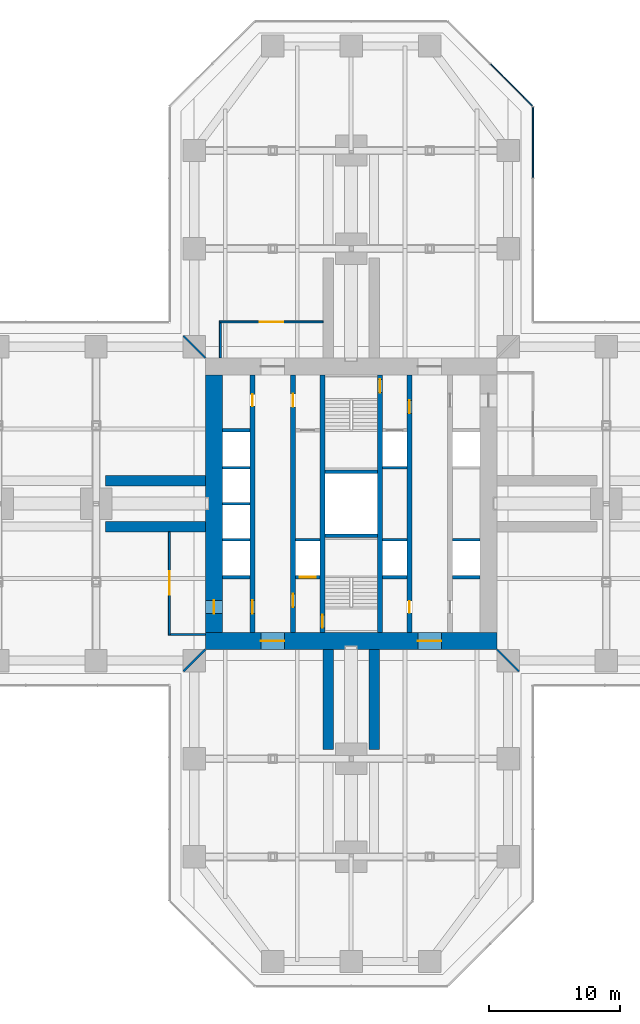
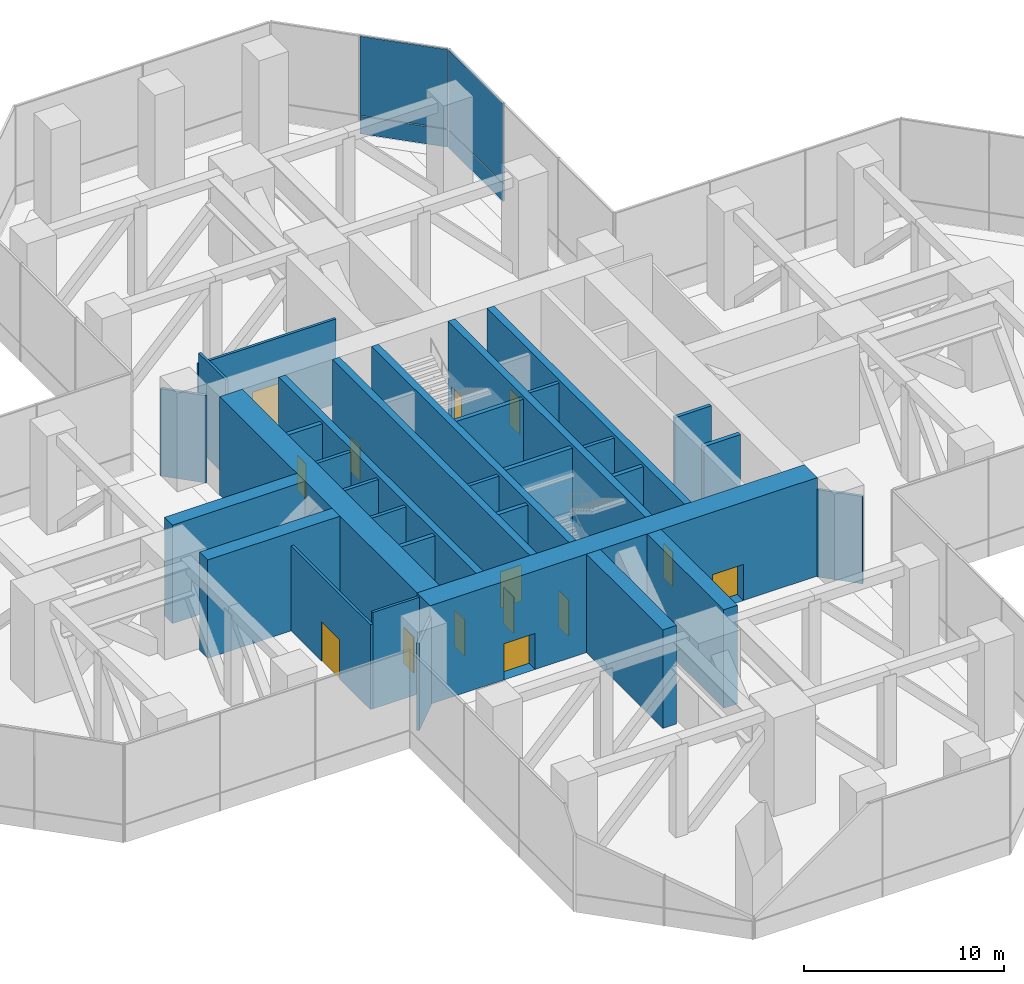
# One storey, part 14 of 19: 32 walls, 14 doors, 4 plates, 14 openings, 2 elements without a shape of their own.
"""IFC4 building model written with IfcOpenShell, lengths in metres."""

from ifc_helpers import new_model, si_unit, direction, frame, frame_2d, origin, origin_2d, place, context, subcontext, project, spatial, rectangle, extrude, material, layer, layer_set, type_object, element, fill, aggregate, save


model = new_model("IFC4")

# Units and contexts
model_context = context("Model", 3, precision=1e-05, world=origin(), true_north=direction((0.0, 1.0)))
body_context = subcontext(model_context, "Body", "Model", "MODEL_VIEW")
ifc_project = project(units=[si_unit("LENGTHUNIT", "METRE"), si_unit("AREAUNIT", "SQUARE_METRE"), si_unit("VOLUMEUNIT", "CUBIC_METRE"), si_unit("PLANEANGLEUNIT", "RADIAN"), si_unit("MASSUNIT", "GRAM", prefix="KILO")], contexts=[model_context])

# Site, building, storey
site_placement = place(None, origin())
site = spatial("IfcSite", under=ifc_project, at=site_placement, CompositionType="ELEMENT")
building_placement = place(site_placement, origin())
building = spatial("IfcBuilding", under=site, at=building_placement, Name="Mizan Broadcast Tower", CompositionType="ELEMENT")
storey_placement = place(building_placement, frame((0.0, 0.0, 37.5)))
storey = spatial("IfcBuildingStorey", under=building, at=storey_placement, Name="L06", CompositionType="ELEMENT", Elevation=37.5)

# Curtain wall, plates
ifc_material_1 = material(Name="Aluminium framed glazing", Category="aluminium")
curtain_wall_type = type_object("IfcCurtainWallType", Name="PLANT LOUVRE", PredefinedType="USERDEFINED", material=ifc_material_1)
curtain_wall_1_placement = place(storey_placement, origin())
curtain_wall_1 = element("IfcCurtainWall", 1, at=curtain_wall_1_placement, inside=storey, type_object=curtain_wall_type, Name="Plant louvre L06 N side", ObjectType="PLANT LOUVRE", PredefinedType="USERDEFINED")
ifc_material_2 = material(Name="Extruded aluminium weather louvre, pale anodised", Category="aluminium")
ifc_layer_1 = layer(ifc_material_2, 0.10009765625)
ifc_layer_set_1 = layer_set([ifc_layer_1], Name="Extruded aluminium weather louvre, pale anodised")
plate_type = type_object("IfcPlateType", Name="PLANT LOUVRE PANEL", PredefinedType="USERDEFINED", material=ifc_layer_set_1)
plate_1_placement = place(storey_placement, frame((13.89990234375, 27.6123046875, 0.0), z_axis=(0.0, 0.0, 1.0), x_axis=(0.0, 1.0, 0.0)))
plate_1 = element("IfcPlate", 2, at=plate_1_placement, type_object=plate_type, Name="Plant louvre L06 N side panel 3.1", ObjectType="LOUVRE", PredefinedType="USERDEFINED", context=body_context, shape_type="SweptSolid", body=[
    extrude(rectangle(XDim=5.40087890625, YDim=0.10009765625, at=origin_2d()), origin(), (0.0, 0.0, 1.0), 1.070068359375),
])
plate_2_placement = place(storey_placement, frame((13.89990234375, 27.6123046875, 1.1298828125), z_axis=(0.0, 0.0, 1.0), x_axis=(0.0, 1.0, 0.0)))
plate_2 = element("IfcPlate", 3, at=plate_2_placement, type_object=plate_type, Name="Plant louvre L06 N side panel 3.2", ObjectType="LOUVRE", PredefinedType="USERDEFINED", context=body_context, shape_type="SweptSolid", body=[
    extrude(rectangle(XDim=5.40087890625, YDim=0.10009765625, at=origin_2d()), origin(), (0.0, 0.0, 1.0), 4.81005859375),
])
aggregate(curtain_wall_1, [plate_1, plate_2])

curtain_wall_2_placement = place(storey_placement, origin())
curtain_wall_2 = element("IfcCurtainWall", 4, at=curtain_wall_2_placement, inside=storey, type_object=curtain_wall_type, Name="Plant louvre L06 N chamfer", ObjectType="PLANT LOUVRE", PredefinedType="USERDEFINED")
plate_3_placement = place(storey_placement, frame((12.257568359375, 32.01513671875, 0.0), z_axis=(0.0, 0.0, 1.0), x_axis=(-0.707106781187, 0.707106781187, 0.0)))
plate_3 = element("IfcPlate", 5, at=plate_3_placement, type_object=plate_type, Name="Plant louvre L06 N chamfer panel 1.1", ObjectType="LOUVRE", PredefinedType="USERDEFINED", context=body_context, shape_type="SweptSolid", body=[
    extrude(rectangle(XDim=4.525390625, YDim=0.10009765625, at=origin_2d()), origin(), (0.0, 0.0, 1.0), 1.070068359375),
])
plate_4_placement = place(storey_placement, frame((12.257568359375, 32.01513671875, 1.1298828125), z_axis=(0.0, 0.0, 1.0), x_axis=(-0.707106781187, 0.707106781187, 0.0)))
plate_4 = element("IfcPlate", 6, at=plate_4_placement, type_object=plate_type, Name="Plant louvre L06 N chamfer panel 1.2", ObjectType="LOUVRE", PredefinedType="USERDEFINED", context=body_context, shape_type="SweptSolid", body=[
    extrude(rectangle(XDim=4.525390625, YDim=0.10009765625, at=origin_2d()), origin(), (0.0, 0.0, 1.0), 4.81005859375),
])
aggregate(curtain_wall_2, [plate_3, plate_4])

# Wall, openings, doors
ifc_material_3 = material(Name="Concrete C70/85", Category="concrete")
ifc_layer_2 = layer(ifc_material_3, 0.39990234375)
ifc_layer_set_2 = layer_set([ifc_layer_2], Name="Concrete C70/85")
wall_type_1 = type_object("IfcWallType", Name="CORE INTERNAL WALL 400", PredefinedType="SHEAR", material=ifc_layer_set_2)
wall_1_placement = place(storey_placement, frame((-7.550048828125, -9.85009765625, 0.0), z_axis=(0.0, 0.0, 1.0), x_axis=(0.0, 1.0, 0.0)))
wall_1 = element("IfcWall", 7, at=wall_1_placement, inside=storey, type_object=wall_type_1, Name="Core wall CORE/XW1", PredefinedType="SHEAR", context=body_context, shape_type="SweptSolid", body=[
    extrude(rectangle(XDim=19.7001953125, YDim=0.39990234375, at=frame_2d((9.85009765625, 0.0))), origin(), (0.0, 0.0, 1.0), 6.0),
])
opening_1_placement = place(wall_1_placement, frame((1.449951171875, 0.0, 0.0)))
opening_1 = element("IfcOpeningElement", 8, at=opening_1_placement, cuts=wall_1, Name="Opening D10F", PredefinedType="OPENING", context=body_context, shape_type="SweptSolid", body=[
    extrude(rectangle(XDim=1.0, YDim=2.199951171875, at=frame_2d((0.5, 1.10009765625))), frame((0.0, 0.2099609375, 0.0), z_axis=(0.0, -1.0, 0.0), x_axis=(1.0, 0.0, 0.0)), (0.0, 0.0, 1.0), 0.419921875),
])
opening_2_placement = place(wall_1_placement, frame((17.300048828125, 0.0, 0.0)))
opening_2 = element("IfcOpeningElement", 9, at=opening_2_placement, cuts=wall_1, Name="Opening D09", PredefinedType="OPENING", context=body_context, shape_type="SweptSolid", body=[
    extrude(rectangle(XDim=0.89990234375, YDim=2.10009765625, at=frame_2d((0.449951171875, 1.050048828125))), frame((0.0, 0.2099609375, 0.0), z_axis=(0.0, -1.0, 0.0), x_axis=(1.0, 0.0, 0.0)), (0.0, 0.0, 1.0), 0.419921875),
])
ifc_material_4 = material(Name="Steel door leaf in steel frame", Category="steel")
door_type_1 = type_object("IfcDoorType", Name="FIRE DOOR 1000 FD90", OperationType="SINGLE_SWING_LEFT", PredefinedType="DOOR", material=ifc_material_4)
door_1_placement = place(opening_1_placement, origin())
door_1 = element("IfcDoor", 10, at=door_1_placement, inside=storey, type_object=door_type_1, Name="West core passage door", OperationType="SINGLE_SWING_LEFT", OverallHeight=2.199951171875, OverallWidth=1.0, PredefinedType="DOOR", context=body_context, shape_type="SweptSolid", body=[
    extrude(rectangle(XDim=1.0, YDim=2.199951171875, at=frame_2d((0.5, 1.10009765625))), frame((0.0, 0.02490234375, 0.0), z_axis=(0.0, -1.0, 0.0), x_axis=(1.0, 0.0, 0.0)), (0.0, 0.0, 1.0), 0.050048828125),
])
fill(opening_1, door_1)
ifc_material_5 = material(Name="Timber door leaf in aluminium frame", Category="wood")
door_type_2 = type_object("IfcDoorType", Name="TOILET DOOR 900", OperationType="SINGLE_SWING_LEFT", PredefinedType="DOOR", material=ifc_material_5)
door_2_placement = place(opening_2_placement, origin())
door_2 = element("IfcDoor", 11, at=door_2_placement, inside=storey, type_object=door_type_2, Name="Male WC door", OperationType="SINGLE_SWING_RIGHT", OverallHeight=2.10009765625, OverallWidth=0.89990234375, PredefinedType="DOOR", context=body_context, shape_type="SweptSolid", body=[
    extrude(rectangle(XDim=0.89990234375, YDim=2.10009765625, at=frame_2d((0.449951171875, 1.050048828125))), frame((0.0, 0.02490234375, 0.0), z_axis=(0.0, -1.0, 0.0), x_axis=(1.0, 0.0, 0.0)), (0.0, 0.0, 1.0), 0.050048828125),
])
fill(opening_2, door_2)

wall_2_placement = place(storey_placement, frame((-4.449951171875, -9.85009765625, 0.0), z_axis=(0.0, 0.0, 1.0), x_axis=(0.0, 1.0, 0.0)))
wall_2 = element("IfcWall", 12, at=wall_2_placement, inside=storey, type_object=wall_type_1, Name="Core wall CORE/XWH", PredefinedType="SHEAR", context=body_context, shape_type="SweptSolid", body=[
    extrude(rectangle(XDim=19.7001953125, YDim=0.39990234375, at=frame_2d((9.85009765625, 0.0))), origin(), (0.0, 0.0, 1.0), 6.0),
])
opening_3_placement = place(wall_2_placement, frame((1.949951171875, 0.0, 0.0)))
opening_3 = element("IfcOpeningElement", 13, at=opening_3_placement, cuts=wall_2, Name="Opening D10F", PredefinedType="OPENING", context=body_context, shape_type="SweptSolid", body=[
    extrude(rectangle(XDim=1.0, YDim=2.199951171875, at=frame_2d((0.5, 1.10009765625))), frame((0.0, 0.2099609375, 0.0), z_axis=(0.0, -1.0, 0.0), x_axis=(1.0, 0.0, 0.0)), (0.0, 0.0, 1.0), 0.419921875),
])
opening_4_placement = place(wall_2_placement, frame((17.25, 0.0, 0.0)))
opening_4 = element("IfcOpeningElement", 14, at=opening_4_placement, cuts=wall_2, Name="Opening D10A", PredefinedType="OPENING", context=body_context, shape_type="SweptSolid", body=[
    extrude(rectangle(XDim=1.0, YDim=2.10009765625, at=frame_2d((0.5, 1.050048828125))), frame((0.0, 0.2099609375, 0.0), z_axis=(0.0, -1.0, 0.0), x_axis=(1.0, 0.0, 0.0)), (0.0, 0.0, 1.0), 0.419921875),
])
ifc_material_6 = material(Name="Timber door leaf in aluminium frame", Category="wood")
door_type_3 = type_object("IfcDoorType", Name="ACCESSIBLE WC DOOR 1000", OperationType="SLIDING_TO_LEFT", PredefinedType="DOOR", material=ifc_material_6)
door_3_placement = place(opening_4_placement, origin())
door_3 = element("IfcDoor", 15, at=door_3_placement, inside=storey, type_object=door_type_3, Name="Accessible WC door", OperationType="SLIDING_TO_LEFT", OverallHeight=2.10009765625, OverallWidth=1.0, PredefinedType="DOOR", context=body_context, shape_type="SweptSolid", body=[
    extrude(rectangle(XDim=1.0, YDim=2.10009765625, at=frame_2d((0.5, 1.050048828125))), frame((0.0, 0.02490234375, 0.0), z_axis=(0.0, -1.0, 0.0), x_axis=(1.0, 0.0, 0.0)), (0.0, 0.0, 1.0), 0.050048828125),
])
fill(opening_4, door_3)
door_4_placement = place(opening_3_placement, origin())
door_4 = element("IfcDoor", 16, at=door_4_placement, inside=storey, type_object=door_type_1, Name="Firefighting lobby A door", OperationType="SINGLE_SWING_LEFT", OverallHeight=2.199951171875, OverallWidth=1.0, PredefinedType="DOOR", context=body_context, shape_type="SweptSolid", body=[
    extrude(rectangle(XDim=1.0, YDim=2.199951171875, at=frame_2d((0.5, 1.10009765625))), frame((0.0, 0.02490234375, 0.0), z_axis=(0.0, -1.0, 0.0), x_axis=(1.0, 0.0, 0.0)), (0.0, 0.0, 1.0), 0.050048828125),
])
fill(opening_3, door_4)

wall_3_placement = place(storey_placement, frame((4.449951171875, 9.85009765625, 0.0), z_axis=(0.0, 0.0, 1.0), x_axis=(0.0, -1.0, 0.0)))
wall_3 = element("IfcWall", 17, at=wall_3_placement, inside=storey, type_object=wall_type_1, Name="Core wall CORE/XWHE", PredefinedType="SHEAR", context=body_context, shape_type="SweptSolid", body=[
    extrude(rectangle(XDim=19.7001953125, YDim=0.39990234375, at=frame_2d((9.85009765625, 0.0))), origin(), (0.0, 0.0, 1.0), 6.0),
])
opening_5_placement = place(wall_3_placement, frame((1.949951171875, 0.0, 0.0)))
opening_5 = element("IfcOpeningElement", 18, at=opening_5_placement, cuts=wall_3, Name="Opening D10F", PredefinedType="OPENING", context=body_context, shape_type="SweptSolid", body=[
    extrude(rectangle(XDim=1.0, YDim=2.199951171875, at=frame_2d((0.5, 1.10009765625))), frame((0.0, 0.2099609375, 0.0), z_axis=(0.0, -1.0, 0.0), x_axis=(1.0, 0.0, 0.0)), (0.0, 0.0, 1.0), 0.419921875),
])
opening_6_placement = place(wall_3_placement, frame((17.300048828125, 0.0, 0.0)))
opening_6 = element("IfcOpeningElement", 19, at=opening_6_placement, cuts=wall_3, Name="Opening D09", PredefinedType="OPENING", context=body_context, shape_type="SweptSolid", body=[
    extrude(rectangle(XDim=0.89990234375, YDim=2.10009765625, at=frame_2d((0.449951171875, 1.050048828125))), frame((0.0, 0.2099609375, 0.0), z_axis=(0.0, -1.0, 0.0), x_axis=(1.0, 0.0, 0.0)), (0.0, 0.0, 1.0), 0.419921875),
])
door_5_placement = place(opening_5_placement, origin())
door_5 = element("IfcDoor", 20, at=door_5_placement, inside=storey, type_object=door_type_1, Name="Firefighting lobby B door", OperationType="SINGLE_SWING_LEFT", OverallHeight=2.199951171875, OverallWidth=1.0, PredefinedType="DOOR", context=body_context, shape_type="SweptSolid", body=[
    extrude(rectangle(XDim=1.0, YDim=2.199951171875, at=frame_2d((0.5, 1.10009765625))), frame((0.0, 0.02490234375, 0.0), z_axis=(0.0, -1.0, 0.0), x_axis=(1.0, 0.0, 0.0)), (0.0, 0.0, 1.0), 0.050048828125),
])
fill(opening_5, door_5)
door_6_placement = place(opening_6_placement, origin())
door_6 = element("IfcDoor", 21, at=door_6_placement, inside=storey, type_object=door_type_2, Name="Cleaner's store door", OperationType="SINGLE_SWING_RIGHT", OverallHeight=2.10009765625, OverallWidth=0.89990234375, PredefinedType="DOOR", context=body_context, shape_type="SweptSolid", body=[
    extrude(rectangle(XDim=0.89990234375, YDim=2.10009765625, at=frame_2d((0.449951171875, 1.050048828125))), frame((0.0, 0.02490234375, 0.0), z_axis=(0.0, -1.0, 0.0), x_axis=(1.0, 0.0, 0.0)), (0.0, 0.0, 1.0), 0.050048828125),
])
fill(opening_6, door_6)

# Wall, opening, door
wall_4_placement = place(storey_placement, frame((-2.199951171875, -9.85009765625, 0.0), z_axis=(0.0, 0.0, 1.0), x_axis=(0.0, 1.0, 0.0)))
wall_4 = element("IfcWall", 22, at=wall_4_placement, inside=storey, type_object=wall_type_1, Name="Core wall CORE/XW2", PredefinedType="SHEAR", context=body_context, shape_type="SweptSolid", body=[
    extrude(rectangle(XDim=19.7001953125, YDim=0.39990234375, at=frame_2d((9.85009765625, 0.0))), origin(), (0.0, 0.0, 1.0), 6.0),
])
opening_7_placement = place(wall_4_placement, frame((0.35009765625, 0.0, 0.0)))
opening_7 = element("IfcOpeningElement", 23, at=opening_7_placement, cuts=wall_4, Name="Opening D10S", PredefinedType="OPENING", context=body_context, shape_type="SweptSolid", body=[
    extrude(rectangle(XDim=1.0, YDim=2.199951171875, at=frame_2d((0.5, 1.10009765625))), frame((0.0, 0.2099609375, 0.0), z_axis=(0.0, -1.0, 0.0), x_axis=(1.0, 0.0, 0.0)), (0.0, 0.0, 1.0), 0.419921875),
])
ifc_material_7 = material(Name="Steel door leaf in steel frame", Category="steel")
door_type_4 = type_object("IfcDoorType", Name="STAIR DOOR 1000 FD90S", OperationType="SINGLE_SWING_RIGHT", PredefinedType="DOOR", material=ifc_material_7)
door_7_placement = place(opening_7_placement, origin())
door_7 = element("IfcDoor", 24, at=door_7_placement, inside=storey, type_object=door_type_4, Name="Stair A door", OperationType="SINGLE_SWING_RIGHT", OverallHeight=2.199951171875, OverallWidth=1.0, PredefinedType="DOOR", context=body_context, shape_type="SweptSolid", body=[
    extrude(rectangle(XDim=1.0, YDim=2.199951171875, at=frame_2d((0.5, 1.10009765625))), frame((0.0, 0.02490234375, 0.0), z_axis=(0.0, -1.0, 0.0), x_axis=(1.0, 0.0, 0.0)), (0.0, 0.0, 1.0), 0.050048828125),
])
fill(opening_7, door_7)

wall_5_placement = place(storey_placement, frame((2.199951171875, 9.85009765625, 0.0), z_axis=(0.0, 0.0, 1.0), x_axis=(0.0, -1.0, 0.0)))
wall_5 = element("IfcWall", 25, at=wall_5_placement, inside=storey, type_object=wall_type_1, Name="Core wall CORE/XW2E", PredefinedType="SHEAR", context=body_context, shape_type="SweptSolid", body=[
    extrude(rectangle(XDim=19.7001953125, YDim=0.39990234375, at=frame_2d((9.85009765625, 0.0))), origin(), (0.0, 0.0, 1.0), 6.0),
])
opening_8_placement = place(wall_5_placement, frame((0.35009765625, 0.0, 0.0)))
opening_8 = element("IfcOpeningElement", 26, at=opening_8_placement, cuts=wall_5, Name="Opening D10S", PredefinedType="OPENING", context=body_context, shape_type="SweptSolid", body=[
    extrude(rectangle(XDim=1.0, YDim=2.199951171875, at=frame_2d((0.5, 1.10009765625))), frame((0.0, 0.2099609375, 0.0), z_axis=(0.0, -1.0, 0.0), x_axis=(1.0, 0.0, 0.0)), (0.0, 0.0, 1.0), 0.419921875),
])
door_8_placement = place(opening_8_placement, origin())
door_8 = element("IfcDoor", 27, at=door_8_placement, inside=storey, type_object=door_type_4, Name="Stair B door", OperationType="SINGLE_SWING_RIGHT", OverallHeight=2.199951171875, OverallWidth=1.0, PredefinedType="DOOR", context=body_context, shape_type="SweptSolid", body=[
    extrude(rectangle(XDim=1.0, YDim=2.199951171875, at=frame_2d((0.5, 1.10009765625))), frame((0.0, 0.02490234375, 0.0), z_axis=(0.0, -1.0, 0.0), x_axis=(1.0, 0.0, 0.0)), (0.0, 0.0, 1.0), 0.050048828125),
])
fill(opening_8, door_8)

# Wall, openings, doors
ifc_material_8 = material(Name="Concrete C70/85", Category="concrete")
ifc_layer_3 = layer(ifc_material_8, 1.300048828125)
ifc_layer_set_3 = layer_set([ifc_layer_3], Name="Concrete C70/85")
wall_type_2 = type_object("IfcWallType", Name="CORE WALL 1300", PredefinedType="SHEAR", material=ifc_layer_set_3)
wall_6_placement = place(storey_placement, frame((11.14990234375, -10.5, 0.0), z_axis=(0.0, 0.0, 1.0), x_axis=(-1.0, 0.0, 0.0)))
wall_6 = element("IfcWall", 28, at=wall_6_placement, inside=storey, type_object=wall_type_2, Name="Core wall S L06", PredefinedType="SHEAR", context=body_context, shape_type="SweptSolid", body=[
    extrude(rectangle(XDim=22.2998046875, YDim=1.300048828125, at=frame_2d((11.14990234375, 0.0))), origin(), (0.0, 0.0, 1.0), 6.0),
])
opening_9_placement = place(wall_6_placement, frame((16.25, 0.0, 0.0)))
opening_9 = element("IfcOpeningElement", 29, at=opening_9_placement, cuts=wall_6, Name="Opening D18F", PredefinedType="OPENING", context=body_context, shape_type="SweptSolid", body=[
    extrude(rectangle(XDim=1.800048828125, YDim=2.199951171875, at=frame_2d((0.89990234375, 1.10009765625))), frame((0.0, 0.659912109375, 0.0), z_axis=(0.0, -1.0, 0.0), x_axis=(1.0, 0.0, 0.0)), (0.0, 0.0, 1.0), 1.320068359375),
])
opening_10_placement = place(wall_6_placement, frame((4.25, 0.0, 0.0)))
opening_10 = element("IfcOpeningElement", 30, at=opening_10_placement, cuts=wall_6, Name="Opening D18F", PredefinedType="OPENING", context=body_context, shape_type="SweptSolid", body=[
    extrude(rectangle(XDim=1.800048828125, YDim=2.199951171875, at=frame_2d((0.89990234375, 1.10009765625))), frame((0.0, 0.659912109375, 0.0), z_axis=(0.0, -1.0, 0.0), x_axis=(1.0, 0.0, 0.0)), (0.0, 0.0, 1.0), 1.320068359375),
])
ifc_material_9 = material(Name="Steel door leaf in steel frame", Category="steel")
door_type_5 = type_object("IfcDoorType", Name="LOBBY DOUBLE DOOR 1800 FD90", OperationType="DOUBLE_DOOR_DOUBLE_SWING", PredefinedType="DOOR", material=ifc_material_9)
door_9_placement = place(opening_9_placement, origin())
door_9 = element("IfcDoor", 31, at=door_9_placement, inside=storey, type_object=door_type_5, Name="West lift lobby south door", OperationType="DOUBLE_DOOR_DOUBLE_SWING", OverallHeight=2.199951171875, OverallWidth=1.800048828125, PredefinedType="DOOR", context=body_context, shape_type="SweptSolid", body=[
    extrude(rectangle(XDim=1.800048828125, YDim=2.199951171875, at=frame_2d((0.89990234375, 1.10009765625))), frame((0.0, 0.02490234375, 0.0), z_axis=(0.0, -1.0, 0.0), x_axis=(1.0, 0.0, 0.0)), (0.0, 0.0, 1.0), 0.050048828125),
])
fill(opening_9, door_9)
door_10_placement = place(opening_10_placement, origin())
door_10 = element("IfcDoor", 32, at=door_10_placement, inside=storey, type_object=door_type_5, Name="East lift lobby south door", OperationType="DOUBLE_DOOR_DOUBLE_SWING", OverallHeight=2.199951171875, OverallWidth=1.800048828125, PredefinedType="DOOR", context=body_context, shape_type="SweptSolid", body=[
    extrude(rectangle(XDim=1.800048828125, YDim=2.199951171875, at=frame_2d((0.89990234375, 1.10009765625))), frame((0.0, 0.02490234375, 0.0), z_axis=(0.0, -1.0, 0.0), x_axis=(1.0, 0.0, 0.0)), (0.0, 0.0, 1.0), 0.050048828125),
])
fill(opening_10, door_10)

# Wall, opening, door
wall_7_placement = place(storey_placement, frame((-10.5, 9.85009765625, 0.0), z_axis=(0.0, 0.0, 1.0), x_axis=(0.0, -1.0, 0.0)))
wall_7 = element("IfcWall", 33, at=wall_7_placement, inside=storey, type_object=wall_type_2, Name="Core wall W L06", PredefinedType="SHEAR", context=body_context, shape_type="SweptSolid", body=[
    extrude(rectangle(XDim=19.7001953125, YDim=1.300048828125, at=frame_2d((9.85009765625, 0.0))), origin(), (0.0, 0.0, 1.0), 6.0),
])
opening_11_placement = place(wall_7_placement, frame((17.25, 0.0, 0.0)))
opening_11 = element("IfcOpeningElement", 34, at=opening_11_placement, cuts=wall_7, Name="Opening D10F", PredefinedType="OPENING", context=body_context, shape_type="SweptSolid", body=[
    extrude(rectangle(XDim=1.0, YDim=2.199951171875, at=frame_2d((0.5, 1.10009765625))), frame((0.0, 0.659912109375, 0.0), z_axis=(0.0, -1.0, 0.0), x_axis=(1.0, 0.0, 0.0)), (0.0, 0.0, 1.0), 1.320068359375),
])
door_11_placement = place(opening_11_placement, origin())
door_11 = element("IfcDoor", 35, at=door_11_placement, inside=storey, type_object=door_type_1, Name="West core passage arm door", OperationType="SINGLE_SWING_RIGHT", OverallHeight=2.199951171875, OverallWidth=1.0, PredefinedType="DOOR", context=body_context, shape_type="SweptSolid", body=[
    extrude(rectangle(XDim=1.0, YDim=2.199951171875, at=frame_2d((0.5, 1.10009765625))), frame((0.0, 0.02490234375, 0.0), z_axis=(0.0, -1.0, 0.0), x_axis=(1.0, 0.0, 0.0)), (0.0, 0.0, 1.0), 0.050048828125),
])
fill(opening_11, door_11)

# Walls
ifc_material_10 = material(Name="Concrete blockwork", Category="masonry")
ifc_layer_4 = layer(ifc_material_10, 0.199951171875)
ifc_layer_set_4 = layer_set([ifc_layer_4], Name="Concrete blockwork")
wall_type_3 = type_object("IfcWallType", Name="LIFT SHAFT WALL 200", PredefinedType="SOLIDWALL", material=ifc_layer_set_4)
wall_8_placement = place(storey_placement, frame((-9.85009765625, -2.75, 0.0), z_axis=(0.0, 0.0, 1.0), x_axis=(1.0, 0.0, 0.0)))
element("IfcWall", 36, at=wall_8_placement, inside=storey, type_object=wall_type_3, Name="Lift shaft wall CORE/SW1-1", PredefinedType="SOLIDWALL", context=body_context, shape_type="SweptSolid", body=[
    extrude(rectangle(XDim=2.10009765625, YDim=0.199951171875, at=frame_2d((1.050048828125, 0.0))), origin(), (0.0, 0.0, 1.0), 5.800048828125),
])
for number, where, z_axis, x_axis, name in (
    (37, (-4.25, -2.75, 0.0), (0.0, 0.0, 1.0), (1.0, 0.0, 0.0), "Lift shaft wall CORE/SW2-1"),
    (38, (2.39990234375, -2.75, 0.0), (0.0, 0.0, 1.0), (1.0, 0.0, 0.0), "Lift shaft wall CORE/SE2-1"),
):
    element("IfcWall", number, at=place(storey_placement, frame(where, z_axis=z_axis, x_axis=x_axis)), inside=storey, type_object=wall_type_3, Name=name, PredefinedType="SOLIDWALL", context=body_context, shape_type="SweptSolid", body=[
        extrude(rectangle(XDim=1.85009765625, YDim=0.199951171875, at=frame_2d((0.925048828125, 0.0))), origin(), (0.0, 0.0, 1.0), 5.800048828125),
    ])
for number, where, z_axis, x_axis, name in (
    (39, (7.75, -2.75, 0.0), (0.0, 0.0, 1.0), (1.0, 0.0, 0.0), "Lift shaft wall CORE/SE1-1"),
    (40, (-9.85009765625, 0.0, 0.0), (0.0, 0.0, 1.0), (1.0, 0.0, 0.0), "Lift shaft wall CORE/SW1-2"),
    (41, (-9.85009765625, 2.75, 0.0), (0.0, 0.0, 1.0), (1.0, 0.0, 0.0), "Lift shaft wall CORE/SW1-3"),
):
    element("IfcWall", number, at=place(storey_placement, frame(where, z_axis=z_axis, x_axis=x_axis)), inside=storey, type_object=wall_type_3, Name=name, PredefinedType="SOLIDWALL", context=body_context, shape_type="SweptSolid", body=[
        extrude(rectangle(XDim=2.10009765625, YDim=0.199951171875, at=frame_2d((1.050048828125, 0.0))), origin(), (0.0, 0.0, 1.0), 5.800048828125),
    ])
wall_9_placement = place(storey_placement, frame((2.39990234375, 2.75, 0.0), z_axis=(0.0, 0.0, 1.0), x_axis=(1.0, 0.0, 0.0)))
element("IfcWall", 42, at=wall_9_placement, inside=storey, type_object=wall_type_3, Name="Lift shaft wall CORE/SE2-3", PredefinedType="SOLIDWALL", context=body_context, shape_type="SweptSolid", body=[
    extrude(rectangle(XDim=1.85009765625, YDim=0.199951171875, at=frame_2d((0.925048828125, 0.0))), origin(), (0.0, 0.0, 1.0), 5.800048828125),
])
ifc_material_11 = material(Name="Concrete blockwork", Category="masonry")
ifc_layer_5 = layer(ifc_material_11, 0.25)
ifc_layer_set_5 = layer_set([ifc_layer_5], Name="Concrete blockwork")
wall_type_4 = type_object("IfcWallType", Name="LOBBY ENCLOSURE WALL 250", PredefinedType="SOLIDWALL", material=ifc_layer_set_5)
for number, where, z_axis, x_axis, name in (
    (43, (-9.85009765625, 5.625, 0.0), (0.0, 0.0, 1.0), (1.0, 0.0, 0.0), "Lobby enclosure wall CORE/BW1N"),
    (44, (-9.85009765625, -5.625, 0.0), (0.0, 0.0, 1.0), (1.0, 0.0, 0.0), "Lobby enclosure wall CORE/BW1S"),
):
    element("IfcWall", number, at=place(storey_placement, frame(where, z_axis=z_axis, x_axis=x_axis)), inside=storey, type_object=wall_type_4, Name=name, PredefinedType="SOLIDWALL", context=body_context, shape_type="SweptSolid", body=[
        extrude(rectangle(XDim=2.10009765625, YDim=0.25, at=frame_2d((1.050048828125, 0.0))), origin(), (0.0, 0.0, 1.0), 5.800048828125),
    ])

# Wall, opening, door
wall_10_placement = place(storey_placement, frame((-4.25, -5.625, 0.0), z_axis=(0.0, 0.0, 1.0), x_axis=(1.0, 0.0, 0.0)))
wall_10 = element("IfcWall", 45, at=wall_10_placement, inside=storey, type_object=wall_type_4, Name="Lobby enclosure wall CORE/BW2S", PredefinedType="SOLIDWALL", context=body_context, shape_type="SweptSolid", body=[
    extrude(rectangle(XDim=1.85009765625, YDim=0.25, at=frame_2d((0.925048828125, 0.0))), origin(), (0.0, 0.0, 1.0), 5.800048828125),
])
opening_12_placement = place(wall_10_placement, frame((0.324951171875, 0.0, 0.0)))
opening_12 = element("IfcOpeningElement", 46, at=opening_12_placement, cuts=wall_10, Name="Opening LDF", PredefinedType="OPENING", context=body_context, shape_type="SweptSolid", body=[
    extrude(rectangle(XDim=1.199951171875, YDim=2.199951171875, at=frame_2d((0.60009765625, 1.10009765625))), frame((0.0, 0.135009765625, 0.0), z_axis=(0.0, -1.0, 0.0), x_axis=(1.0, 0.0, 0.0)), (0.0, 0.0, 1.0), 0.27001953125),
])
ifc_material_12 = material(Name="Steel door leaf in steel frame", Category="steel")
door_type_6 = type_object("IfcDoorType", Name="FIREFIGHTING LIFT LANDING DOOR 1200", OperationType="SLIDING_TO_LEFT", PredefinedType="DOOR", material=ifc_material_12)
door_12_placement = place(opening_12_placement, origin())
door_12 = element("IfcDoor", 47, at=door_12_placement, inside=storey, type_object=door_type_6, Name="Landing door FF1", OperationType="SLIDING_TO_LEFT", OverallHeight=2.199951171875, OverallWidth=1.199951171875, PredefinedType="DOOR", context=body_context, shape_type="SweptSolid", body=[
    extrude(rectangle(XDim=1.199951171875, YDim=2.199951171875, at=frame_2d((0.60009765625, 1.10009765625))), frame((0.0, 0.02490234375, 0.0), z_axis=(0.0, -1.0, 0.0), x_axis=(1.0, 0.0, 0.0)), (0.0, 0.0, 1.0), 0.050048828125),
])
fill(opening_12, door_12)

# Walls
wall_11_placement = place(storey_placement, frame((2.39990234375, -5.625, 0.0), z_axis=(0.0, 0.0, 1.0), x_axis=(1.0, 0.0, 0.0)))
element("IfcWall", 48, at=wall_11_placement, inside=storey, type_object=wall_type_4, Name="Lobby enclosure wall CORE/BE2S", PredefinedType="SOLIDWALL", context=body_context, shape_type="SweptSolid", body=[
    extrude(rectangle(XDim=1.85009765625, YDim=0.25, at=frame_2d((0.925048828125, 0.0))), origin(), (0.0, 0.0, 1.0), 5.800048828125),
])
wall_12_placement = place(storey_placement, frame((7.75, -5.625, 0.0), z_axis=(0.0, 0.0, 1.0), x_axis=(1.0, 0.0, 0.0)))
element("IfcWall", 49, at=wall_12_placement, inside=storey, type_object=wall_type_4, Name="Lobby enclosure wall CORE/BE1S", PredefinedType="SOLIDWALL", context=body_context, shape_type="SweptSolid", body=[
    extrude(rectangle(XDim=2.10009765625, YDim=0.25, at=frame_2d((1.050048828125, 0.0))), origin(), (0.0, 0.0, 1.0), 5.800048828125),
])
for number, where, z_axis, x_axis, name in (
    (50, (-2.0, -2.449951171875, 0.0), (0.0, 0.0, 1.0), (1.0, 0.0, 0.0), "Lobby enclosure wall CORE/STA"),
    (51, (-2.0, 2.449951171875, 0.0), (0.0, 0.0, 1.0), (1.0, 0.0, 0.0), "Lobby enclosure wall CORE/STB"),
):
    element("IfcWall", number, at=place(storey_placement, frame(where, z_axis=z_axis, x_axis=x_axis)), inside=storey, type_object=wall_type_4, Name=name, PredefinedType="SOLIDWALL", context=body_context, shape_type="SweptSolid", body=[
        extrude(rectangle(XDim=4.0, YDim=0.25, at=frame_2d((2.0, 0.0))), origin(), (0.0, 0.0, 1.0), 5.800048828125),
    ])
ifc_material_13 = material(Name="Gypsum board on steel studs", Category="steel")
ifc_layer_6 = layer(ifc_material_13, 0.14990234375)
ifc_layer_set_6 = layer_set([ifc_layer_6], Name="Gypsum board on steel studs")
wall_type_5 = type_object("IfcWallType", Name="PARTITION 150", PredefinedType="PARTITIONING", material=ifc_layer_set_6)
for number, where, z_axis, x_axis, name in (
    (52, (-11.14990234375, 11.14990234375, 0.0), (0.0, 0.0, 1.0), (-0.707106781187, 0.707106781187, 0.0), "Partition PT/DGWN"),
    (53, (-11.14990234375, -11.14990234375, 0.0), (0.0, 0.0, 1.0), (-0.707106781187, -0.707106781187, 0.0), "Partition PT/DGWS"),
    (54, (11.14990234375, -11.14990234375, 0.0), (0.0, 0.0, 1.0), (0.707106781187, -0.707106781187, 0.0), "Partition PT/DGES"),
):
    element("IfcWall", number, at=place(storey_placement, frame(where, z_axis=z_axis, x_axis=x_axis)), inside=storey, type_object=wall_type_5, Name=name, PredefinedType="PARTITIONING", context=body_context, shape_type="SweptSolid", body=[
        extrude(rectangle(XDim=2.362060546875, YDim=0.14990234375, at=frame_2d((1.18115234375, 0.0))), origin(), (0.0, 0.0, 1.0), 5.320068359375),
    ])

# Wall, opening, door
ifc_material_14 = material(Name="Concrete blockwork", Category="masonry")
ifc_layer_7 = layer(ifc_material_14, 0.14990234375)
ifc_layer_set_7 = layer_set([ifc_layer_7], Name="Concrete blockwork")
wall_type_6 = type_object("IfcWallType", Name="PLANT ROOM ENCLOSURE WALL 150", PredefinedType="SOLIDWALL", material=ifc_layer_set_7)
wall_13_placement = place(storey_placement, frame((-13.89990234375, -2.14990234375, 0.0), z_axis=(0.0, 0.0, 1.0), x_axis=(0.0, -1.0, 0.0)))
wall_13 = element("IfcWall", 55, at=wall_13_placement, inside=storey, type_object=wall_type_6, Name="Plant room wall PT/WLU", PredefinedType="SOLIDWALL", context=body_context, shape_type="SweptSolid", body=[
    extrude(rectangle(XDim=7.925048828125, YDim=0.14990234375, at=frame_2d((3.96240234375, 0.0))), origin(), (0.0, 0.0, 1.0), 5.179931640625),
])
opening_13_placement = place(wall_13_placement, frame((3.02490234375, 0.0, 0.0)))
opening_13 = element("IfcOpeningElement", 56, at=opening_13_placement, cuts=wall_13, Name="Opening D18P", PredefinedType="OPENING", context=body_context, shape_type="SweptSolid", body=[
    extrude(rectangle(XDim=1.800048828125, YDim=2.39990234375, at=frame_2d((0.89990234375, 1.199951171875))), frame((0.0, 0.0849609375, 0.0), z_axis=(0.0, -1.0, 0.0), x_axis=(1.0, 0.0, 0.0)), (0.0, 0.0, 1.0), 0.169921875),
])
ifc_material_15 = material(Name="Steel door leaf in steel frame", Category="steel")
door_type_7 = type_object("IfcDoorType", Name="PLANT ROOM DOUBLE DOOR 1800x2400 FD90", OperationType="DOUBLE_DOOR_DOUBLE_SWING", PredefinedType="DOOR", material=ifc_material_15)
door_13_placement = place(opening_13_placement, origin())
door_13 = element("IfcDoor", 57, at=door_13_placement, inside=storey, type_object=door_type_7, Name="Electrical plant room door", OperationType="DOUBLE_DOOR_DOUBLE_SWING", OverallHeight=2.39990234375, OverallWidth=1.800048828125, PredefinedType="DOOR", context=body_context, shape_type="SweptSolid", body=[
    extrude(rectangle(XDim=1.800048828125, YDim=2.39990234375, at=frame_2d((0.89990234375, 1.199951171875))), frame((0.0, 0.02490234375, 0.0), z_axis=(0.0, -1.0, 0.0), x_axis=(1.0, 0.0, 0.0)), (0.0, 0.0, 1.0), 0.050048828125),
])
fill(opening_13, door_13)

# Wall
wall_14_placement = place(storey_placement, frame((-11.14990234375, -10.0, 0.0), z_axis=(0.0, 0.0, 1.0), x_axis=(-1.0, 0.0, 0.0)))
element("IfcWall", 58, at=wall_14_placement, inside=storey, type_object=wall_type_6, Name="Plant room wall PT/WLV", PredefinedType="SOLIDWALL", context=body_context, shape_type="SweptSolid", body=[
    extrude(rectangle(XDim=2.675048828125, YDim=0.14990234375, at=frame_2d((1.33740234375, 0.0))), origin(), (0.0, 0.0, 1.0), 5.8701171875),
])

# Wall, opening, door
wall_15_placement = place(storey_placement, frame((-2.14990234375, 13.89990234375, 0.0), z_axis=(0.0, 0.0, 1.0), x_axis=(-1.0, 0.0, 0.0)))
wall_15 = element("IfcWall", 59, at=wall_15_placement, inside=storey, type_object=wall_type_6, Name="Plant room wall PT/NLU", PredefinedType="SOLIDWALL", context=body_context, shape_type="SweptSolid", body=[
    extrude(rectangle(XDim=7.925048828125, YDim=0.14990234375, at=frame_2d((3.96240234375, 0.0))), origin(), (0.0, 0.0, 1.0), 5.179931640625),
])
opening_14_placement = place(wall_15_placement, frame((3.02490234375, 0.0, 0.0)))
opening_14 = element("IfcOpeningElement", 60, at=opening_14_placement, cuts=wall_15, Name="Opening D18P", PredefinedType="OPENING", context=body_context, shape_type="SweptSolid", body=[
    extrude(rectangle(XDim=1.800048828125, YDim=2.39990234375, at=frame_2d((0.89990234375, 1.199951171875))), frame((0.0, 0.0849609375, 0.0), z_axis=(0.0, -1.0, 0.0), x_axis=(1.0, 0.0, 0.0)), (0.0, 0.0, 1.0), 0.169921875),
])
door_14_placement = place(opening_14_placement, origin())
door_14 = element("IfcDoor", 61, at=door_14_placement, inside=storey, type_object=door_type_7, Name="Water tank room door", OperationType="DOUBLE_DOOR_DOUBLE_SWING", OverallHeight=2.39990234375, OverallWidth=1.800048828125, PredefinedType="DOOR", context=body_context, shape_type="SweptSolid", body=[
    extrude(rectangle(XDim=1.800048828125, YDim=2.39990234375, at=frame_2d((0.89990234375, 1.199951171875))), frame((0.0, 0.02490234375, 0.0), z_axis=(0.0, -1.0, 0.0), x_axis=(1.0, 0.0, 0.0)), (0.0, 0.0, 1.0), 0.050048828125),
])
fill(opening_14, door_14)

# Walls
wall_16_placement = place(storey_placement, frame((-10.0, 11.14990234375, 0.0), z_axis=(0.0, 0.0, 1.0), x_axis=(0.0, 1.0, 0.0)))
element("IfcWall", 62, at=wall_16_placement, inside=storey, type_object=wall_type_6, Name="Plant room wall PT/NLV", PredefinedType="SOLIDWALL", context=body_context, shape_type="SweptSolid", body=[
    extrude(rectangle(XDim=2.675048828125, YDim=0.14990234375, at=frame_2d((1.33740234375, 0.0))), origin(), (0.0, 0.0, 1.0), 5.8701171875),
])
ifc_material_16 = material(Name="Concrete C70/85", Category="concrete")
ifc_layer_8 = layer(ifc_material_16, 0.800048828125)
ifc_layer_set_8 = layer_set([ifc_layer_8], Name="Concrete C70/85")
wall_type_7 = type_object("IfcWallType", Name="SPINE WALL 800", PredefinedType="SHEAR", material=ifc_layer_set_8)
for number, where, z_axis, x_axis, name in (
    (63, (-11.14990234375, 1.75, 0.0), (0.0, 0.0, 1.0), (-1.0, 0.0, 0.0), "Spine wall WR L06"),
    (64, (-11.14990234375, -1.75, 0.0), (0.0, 0.0, 1.0), (-1.0, 0.0, 0.0), "Spine wall WL L06"),
    (65, (-1.75, -11.14990234375, 0.0), (0.0, 0.0, 1.0), (0.0, -1.0, 0.0), "Spine wall SR L06"),
    (66, (1.75, -11.14990234375, 0.0), (0.0, 0.0, 1.0), (0.0, -1.0, 0.0), "Spine wall SL L06"),
):
    element("IfcWall", number, at=place(storey_placement, frame(where, z_axis=z_axis, x_axis=x_axis)), inside=storey, type_object=wall_type_7, Name=name, PredefinedType="SHEAR", context=body_context, shape_type="SweptSolid", body=[
        extrude(rectangle(XDim=7.625, YDim=0.800048828125, at=frame_2d((3.8125, 0.0))), origin(), (0.0, 0.0, 1.0), 6.0),
    ])

save(model, "model.ifc")
